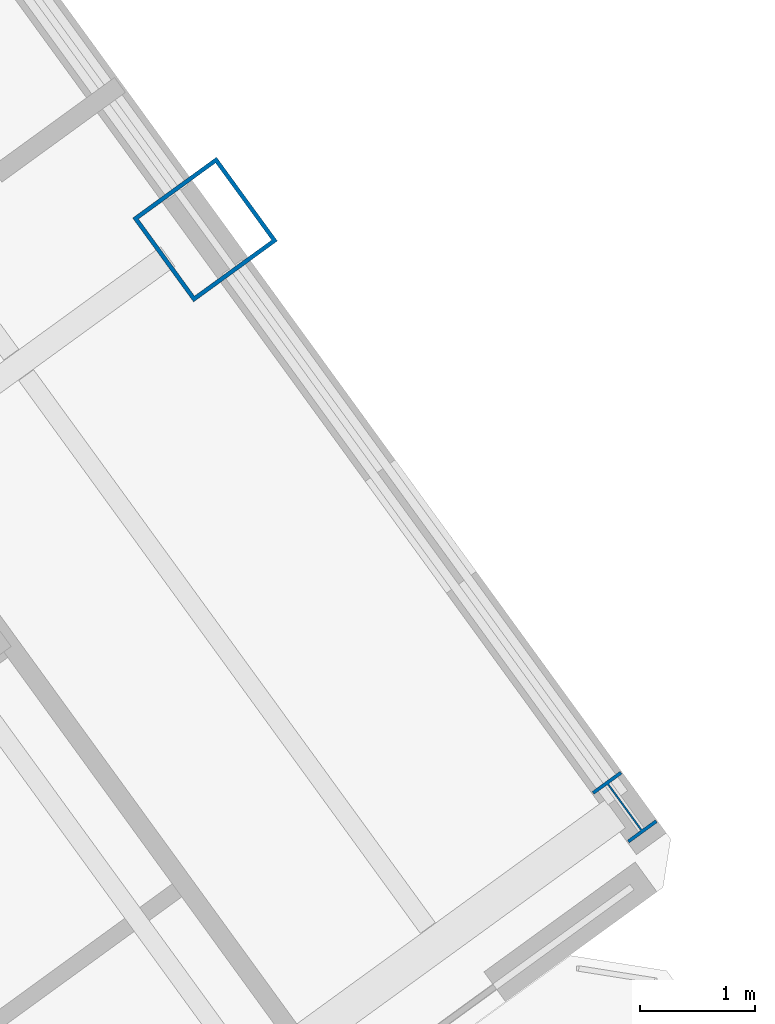
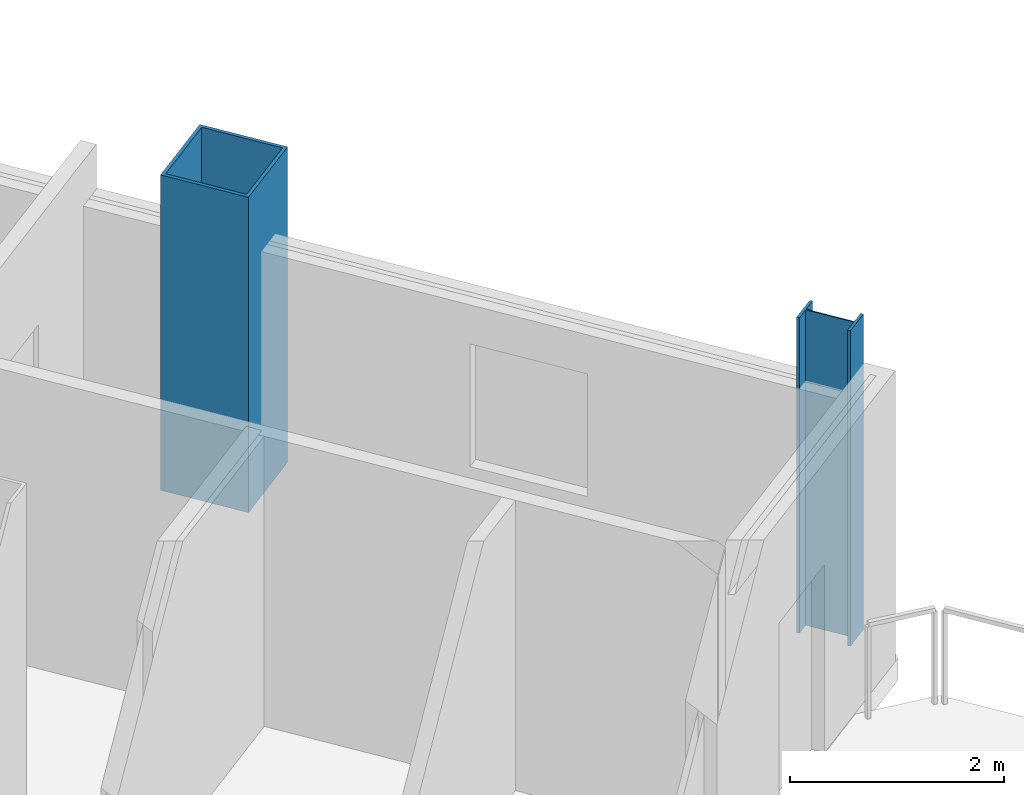
# One storey, part 4 of 29: 2 columns.
"""IFC4 building model written with IfcOpenShell, lengths in metres."""

from ifc_helpers import new_model, si_unit, direction, frame, origin, origin_2d, place, context, subcontext, project, spatial, hollow_rectangle, i_section, extrude, source, transform, mapped, material, material_profile, profile_set, type_object, element, save


model = new_model("IFC4")

# Units and contexts
model_context = context("Model", 3, precision=1e-05, world=origin(), true_north=direction((0.0, 1.0)))
body_context = subcontext(model_context, "Body", "Model", "MODEL_VIEW")
ifc_project = project(units=[si_unit("LENGTHUNIT", "METRE"), si_unit("AREAUNIT", "SQUARE_METRE"), si_unit("VOLUMEUNIT", "CUBIC_METRE"), si_unit("PLANEANGLEUNIT", "RADIAN"), si_unit("MASSUNIT", "GRAM", prefix="KILO")], contexts=[model_context])

# Site, building, storey
site_placement = place(None, origin())
site = spatial("IfcSite", under=ifc_project, at=site_placement, CompositionType="ELEMENT")
building_placement = place(site_placement, origin())
building = spatial("IfcBuilding", under=site, at=building_placement, Name="Tlacorven Tower", CompositionType="ELEMENT")
storey_placement = place(building_placement, frame((0.0, 0.0, 165.89990234375)))
storey = spatial("IfcBuildingStorey", under=building, at=storey_placement, Name="L42", CompositionType="ELEMENT", Elevation=165.89990234375)

# Columns
ifc_material = material(Name="Steel S460M", Category="steel")
ifc_material_profile_1 = material_profile(ifc_material, hollow_rectangle(XDim=0.89990234375, YDim=0.89990234375, WallThickness=0.035888671875, at=origin_2d()), Name="BOX 900X900X36")
ifc_profile_set_1 = profile_set([ifc_material_profile_1], Name="Steel S460M")
column_type_1 = type_object("IfcColumnType", Name="COL-TWR-S2", PredefinedType="COLUMN", material=ifc_profile_set_1)
shared_shape_1 = source(origin(), body_context, "Body", "SweptSolid", [
    extrude(hollow_rectangle(XDim=0.89990234375, YDim=0.89990234375, WallThickness=0.035888671875, at=origin_2d()), origin(), (0.0, 0.0, 1.0), 3.60009765625),
])
column_1_placement = place(storey_placement, frame((67.267822265625, 23.353515625, 0.0), z_axis=(0.0, 0.0, 1.0), x_axis=(0.809016994375, 0.587785252292, 0.0)))
element("IfcColumn", 1, at=column_1_placement, inside=storey, type_object=column_type_1, Name="L42 column COL-L42-E4-2", PredefinedType="COLUMN", context=body_context, shape_type="MappedRepresentation", body=[
    mapped(shared_shape_1, transform((0.0, 0.0, 0.0), scale=1.0)),
])
ifc_material_profile_2 = material_profile(ifc_material, i_section(OverallWidth=0.300048828125, OverallDepth=0.550048828125, WebThickness=0.014892578125, FlangeThickness=0.029052734375, at=origin_2d()), Name="HEB 550")
ifc_profile_set_2 = profile_set([ifc_material_profile_2], Name="Steel S460M")
column_type_2 = type_object("IfcColumnType", Name="COL-TWR-P2", PredefinedType="COLUMN", material=ifc_profile_set_2)
shared_shape_2 = source(origin(), body_context, "Body", "SweptSolid", [
    extrude(i_section(OverallWidth=0.300048828125, OverallDepth=0.550048828125, WebThickness=0.014892578125, FlangeThickness=0.029052734375, at=origin_2d()), origin(), (0.0, 0.0, 1.0), 3.60009765625),
])
column_2_placement = place(storey_placement, frame((70.911865234375, 18.337646484375, 0.0), z_axis=(0.0, 0.0, 1.0), x_axis=(0.809016994375, 0.587785252292, 0.0)))
element("IfcColumn", 2, at=column_2_placement, inside=storey, type_object=column_type_2, Name="L42 column COL-L42-E4-1", PredefinedType="COLUMN", context=body_context, shape_type="MappedRepresentation", body=[
    mapped(shared_shape_2, transform((0.0, 0.0, 0.0), scale=1.0)),
])

save(model, "model.ifc")
